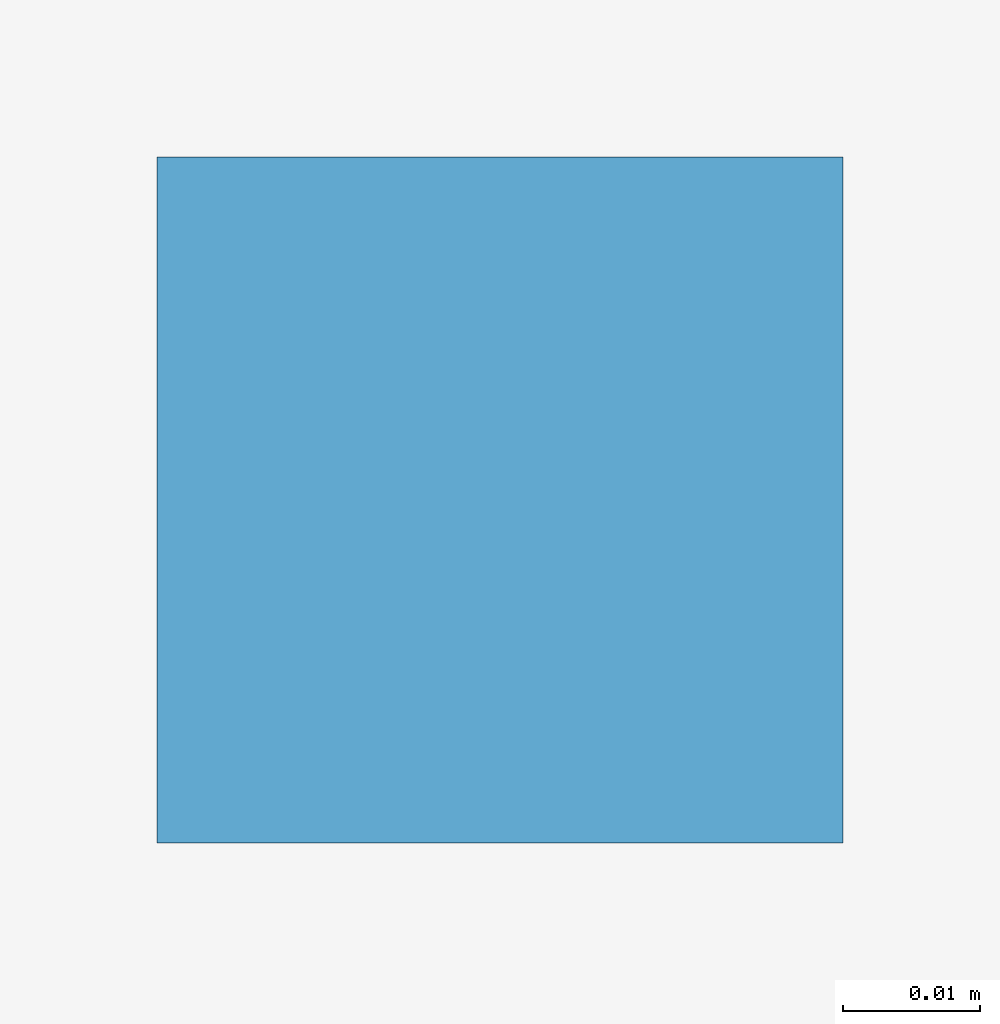
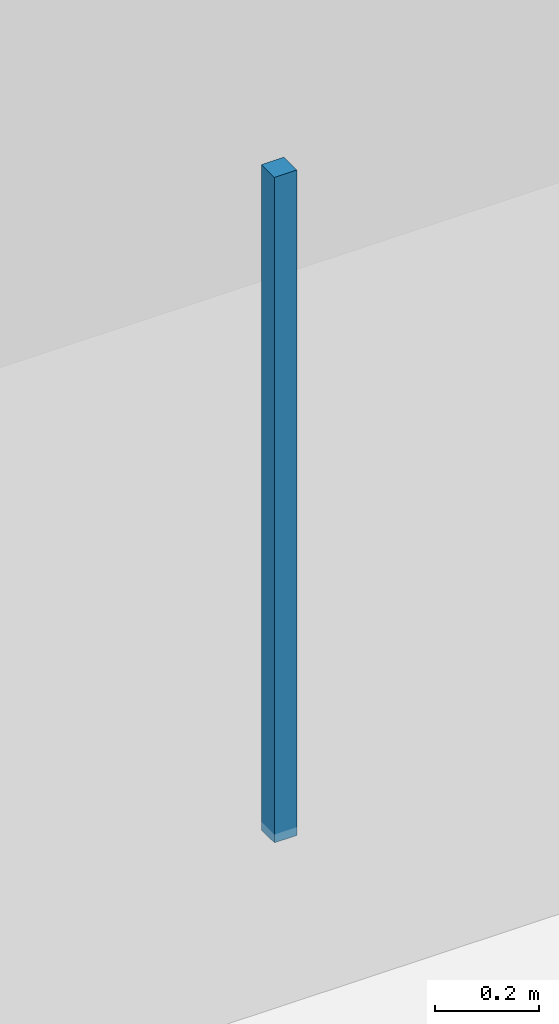
# One storey, part 4 of 6: 1 discrete accessory.
"""IFC4 building model written with IfcOpenShell, lengths in metres."""

from ifc_helpers import new_model, si_unit, direction, frame, origin, origin_2d, place, context, subcontext, project, spatial, rectangle, extrude, material, type_object, element, save


model = new_model("IFC4")

# Units and contexts
model_context = context("Model", 3, precision=1e-05, world=origin(), true_north=direction((0.0, 1.0)))
body_context = subcontext(model_context, "Body", "Model", "MODEL_VIEW")
ifc_project = project(units=[si_unit("LENGTHUNIT", "METRE"), si_unit("AREAUNIT", "SQUARE_METRE"), si_unit("VOLUMEUNIT", "CUBIC_METRE"), si_unit("PLANEANGLEUNIT", "RADIAN"), si_unit("MASSUNIT", "GRAM", prefix="KILO")], contexts=[model_context])

# Site, building, storey
site_placement = place(None, origin())
site = spatial("IfcSite", under=ifc_project, at=site_placement, CompositionType="ELEMENT")
building_placement = place(site_placement, origin())
building = spatial("IfcBuilding", under=site, at=building_placement, Name="Kazehaya Institute of Natural Sciences", CompositionType="ELEMENT")
storey_placement = place(building_placement, frame((0.0, 0.0, 41.93994140625)))
storey = spatial("IfcBuildingStorey", under=building, at=storey_placement, Name="L09", CompositionType="ELEMENT", Elevation=41.93994140625)

# Discrete accessory
ifc_material = material(Name="Structural steel SN490B", Category="steel")
discrete_accessory_type = type_object("IfcDiscreteAccessoryType", Name="ACC-CLG-HGR", PredefinedType="BRACKET", material=ifc_material)
discrete_accessory_placement = place(storey_placement, frame((80.884033203125, 16.951904296875, 2.672607421875), z_axis=(0.0, 0.0, 1.0), x_axis=(1.0, 0.0, 0.0)))
element("IfcDiscreteAccessory", 1, at=discrete_accessory_placement, inside=storey, type_object=discrete_accessory_type, Name="L09 ceiling suspension hanger 72", PredefinedType="BRACKET", context=body_context, shape_type="SweptSolid", body=[
    extrude(rectangle(XDim=0.050048828125, YDim=0.050048828125, at=origin_2d()), origin(), (0.0, 0.0, 1.0), 1.5673828125),
])

save(model, "model.ifc")
